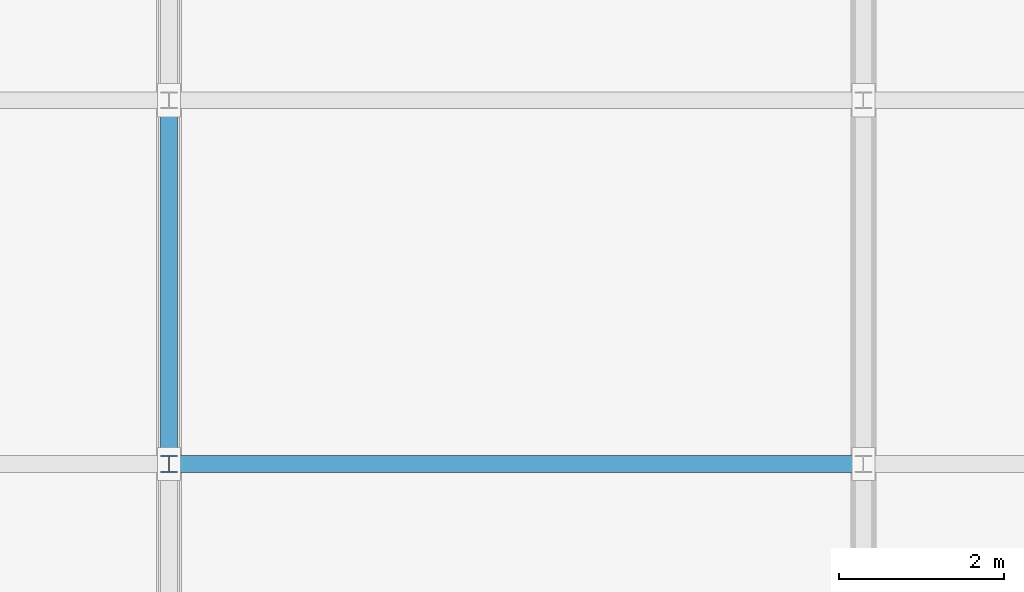
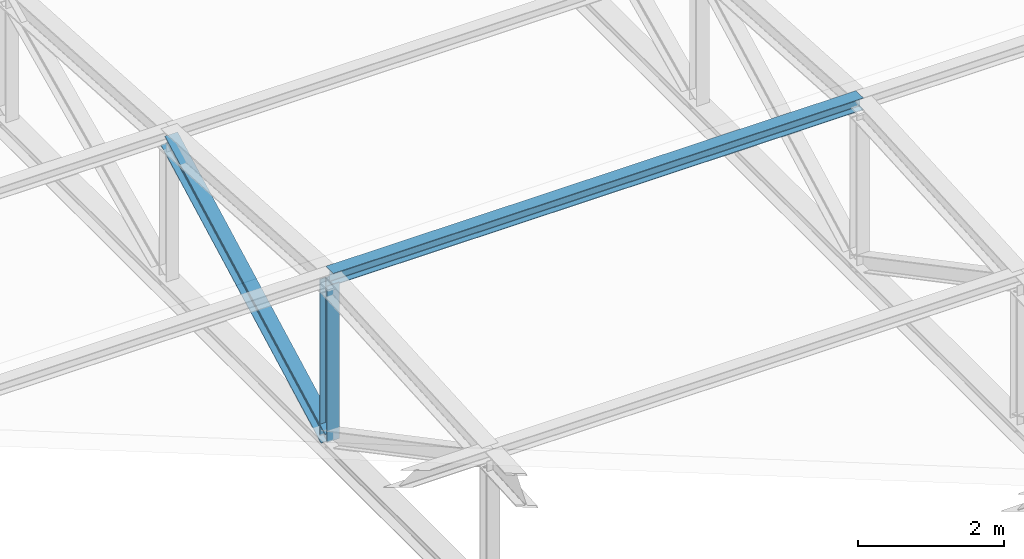
# One storey, part 8 of 49: 3 members.
"""IFC4 building model written with IfcOpenShell, lengths in metres."""

from ifc_helpers import new_model, si_unit, direction, frame, origin, origin_2d, place, context, subcontext, project, spatial, i_section, extrude, material, material_profile, profile_set, type_object, element, save


model = new_model("IFC4")

# Units and contexts
model_context = context("Model", 3, precision=1e-05, world=origin(), true_north=direction((0.0, 1.0)))
body_context = subcontext(model_context, "Body", "Model", "MODEL_VIEW")
ifc_project = project(units=[si_unit("LENGTHUNIT", "METRE"), si_unit("AREAUNIT", "SQUARE_METRE"), si_unit("VOLUMEUNIT", "CUBIC_METRE"), si_unit("PLANEANGLEUNIT", "RADIAN"), si_unit("MASSUNIT", "GRAM", prefix="KILO")], contexts=[model_context])

# Site, building, storey
site_placement = place(None, origin())
site = spatial("IfcSite", under=ifc_project, at=site_placement, CompositionType="ELEMENT")
building_placement = place(site_placement, origin())
building = spatial("IfcBuilding", under=site, at=building_placement, Name="Kemercrest Conservatory and Botanical Centre", CompositionType="ELEMENT")
storey_placement = place(building_placement, frame((0.0, 0.0, 13.199951171875)))
storey = spatial("IfcBuildingStorey", under=building, at=storey_placement, Name="L03", CompositionType="ELEMENT", Elevation=13.199951171875)

# Members
ifc_material = material(Name="Steel CSA G40.21 350W", Category="steel")
ifc_material_profile_1 = material_profile(ifc_material, i_section(OverallWidth=0.202880859375, OverallDepth=0.202880859375, WebThickness=0.007080078125, FlangeThickness=0.010986328125, FilletRadius=0.010009765625, at=origin_2d()), Name="W200X46")
ifc_profile_set_1 = profile_set([ifc_material_profile_1], Name="Steel CSA G40.21 350W")
member_type_1 = type_object("IfcMemberType", Name="PR-W200", PredefinedType="PURLIN", material=ifc_profile_set_1)
member_1_placement = place(storey_placement, frame((66.800048828125, 30.0, 2.679931640625), z_axis=(1.0, 0.0, 0.0), x_axis=(0.0, 1.0, 0.0)))
element("IfcMember", 1, at=member_1_placement, inside=storey, type_object=member_type_1, Name="Auditorium roof purlin P3", PredefinedType="PURLIN", context=body_context, shape_type="SweptSolid", body=[
    extrude(i_section(OverallWidth=0.202880859375, OverallDepth=0.202880859375, WebThickness=0.007080078125, FlangeThickness=0.010986328125, FilletRadius=0.010009765625, at=origin_2d()), origin(), (0.0, 0.0, 1.0), 8.39990234375),
])
ifc_material_profile_2 = material_profile(ifc_material, i_section(OverallWidth=0.202880859375, OverallDepth=0.202880859375, WebThickness=0.007080078125, FlangeThickness=0.010986328125, FilletRadius=0.010009765625, at=origin_2d()), Name="W200X46")
ifc_profile_set_2 = profile_set([ifc_material_profile_2], Name="Steel CSA G40.21 350W")
member_type_2 = type_object("IfcMemberType", Name="TR-VRT200", PredefinedType="BRACE", material=ifc_profile_set_2)
member_2_placement = place(storey_placement, frame((66.800048828125, 30.0, -0.014892578125), z_axis=(0.0, 0.0, 1.0), x_axis=(1.0, 0.0, 0.0)))
element("IfcMember", 2, at=member_2_placement, inside=storey, type_object=member_type_2, Name="Auditorium Roof Truss Vertical Strut 08-V3", PredefinedType="BRACE", context=body_context, shape_type="SweptSolid", body=[
    extrude(i_section(OverallWidth=0.202880859375, OverallDepth=0.202880859375, WebThickness=0.007080078125, FlangeThickness=0.010986328125, FilletRadius=0.010009765625, at=origin_2d()), origin(), (0.0, 0.0, 1.0), 2.614990234375),
])
ifc_material_profile_3 = material_profile(ifc_material, i_section(OverallWidth=0.202880859375, OverallDepth=0.251953125, WebThickness=0.008056640625, FlangeThickness=0.013427734375, FilletRadius=0.010986328125, at=origin_2d()), Name="W250X58")
ifc_profile_set_3 = profile_set([ifc_material_profile_3], Name="Steel CSA G40.21 350W")
member_type_3 = type_object("IfcMemberType", Name="TR-WEB250", PredefinedType="BRACE", material=ifc_profile_set_3)
member_3_placement = place(storey_placement, frame((66.800048828125, 30.0, -0.014892578125), z_axis=(0.0, 0.883890492112, 0.467693914814), x_axis=(-1.0, 0.0, 0.0)))
element("IfcMember", 3, at=member_3_placement, inside=storey, type_object=member_type_3, Name="Auditorium Roof Truss Web Diagonal 08-D3", PredefinedType="BRACE", context=body_context, shape_type="SweptSolid", body=[
    extrude(i_section(OverallWidth=0.202880859375, OverallDepth=0.251953125, WebThickness=0.008056640625, FlangeThickness=0.013427734375, FilletRadius=0.010986328125, at=origin_2d()), origin(), (0.0, 0.0, 1.0), 4.977783203125),
])

save(model, "model.ifc")
